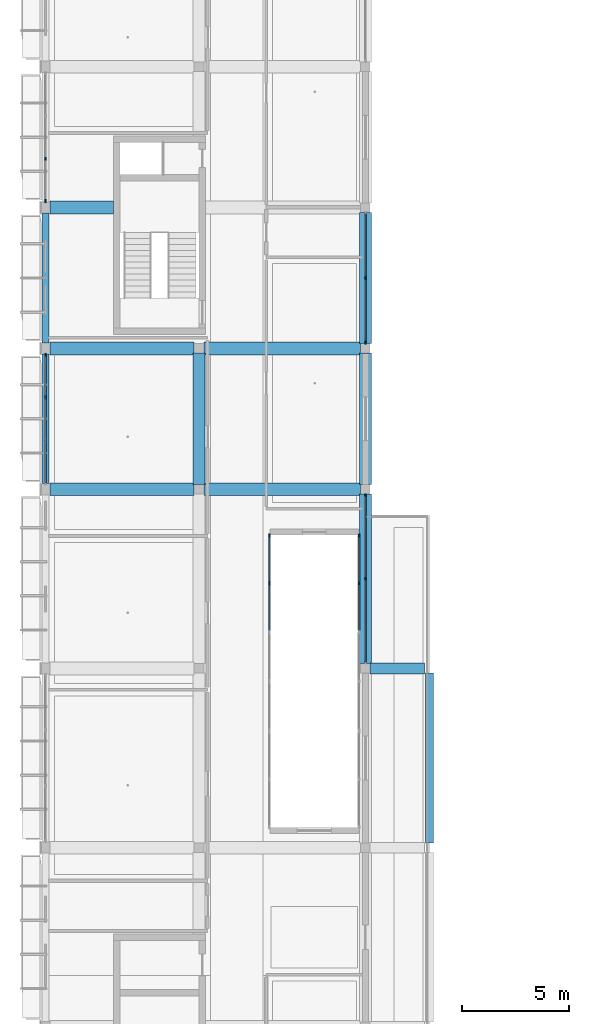
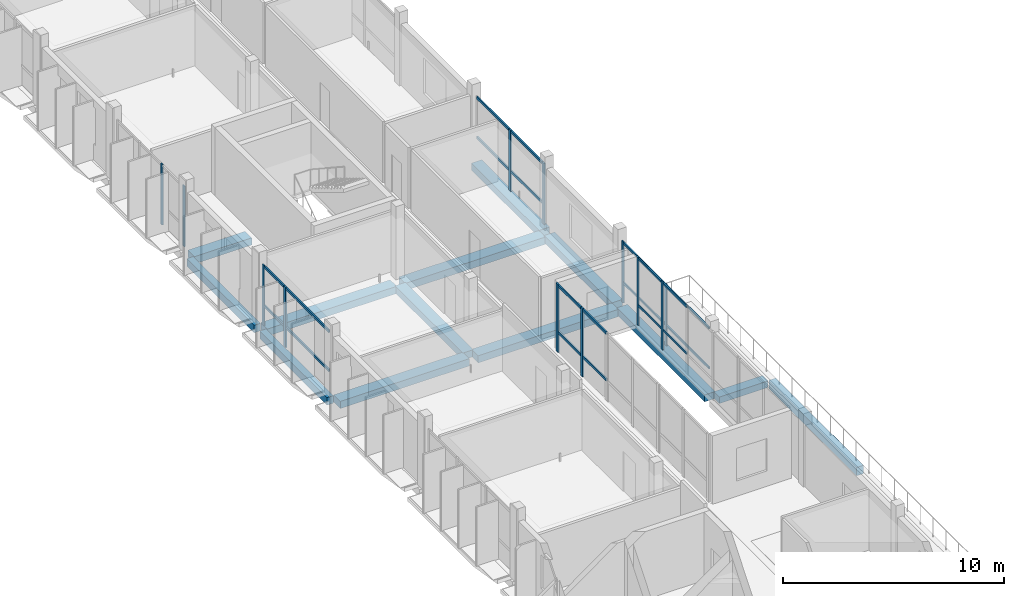
# One storey, part 6 of 48: 22 members, 13 beams, 6 elements without a shape of their own.
"""IFC4 building model written with IfcOpenShell, lengths in metres."""

from ifc_helpers import new_model, si_unit, derived_unit, direction, frame, origin, origin_2d, place, context, subcontext, project, spatial, rectangle, extrude, material, material_profile, profile_set, type_object, element, aggregate, save


model = new_model("IFC4")

# Units and contexts
model_context = context("Model", 3, precision=1e-05, world=origin(), true_north=direction((0.0, 1.0)))
body_context = subcontext(model_context, "Body", "Model", "MODEL_VIEW")
ifc_project = project(units=[si_unit("LENGTHUNIT", "METRE"), si_unit("AREAUNIT", "SQUARE_METRE"), si_unit("VOLUMEUNIT", "CUBIC_METRE"), si_unit("PLANEANGLEUNIT", "RADIAN"), si_unit("MASSUNIT", "GRAM", prefix="KILO"), derived_unit("THERMALTRANSMITTANCEUNIT", [(si_unit("POWERUNIT", "WATT"), 1), (si_unit("LENGTHUNIT", "METRE"), -2), (si_unit("THERMODYNAMICTEMPERATUREUNIT", "KELVIN"), -1)])], contexts=[model_context])

# Site, building, storey
site_placement = place(None, origin())
site = spatial("IfcSite", under=ifc_project, at=site_placement, CompositionType="ELEMENT")
building_placement = place(site_placement, origin())
building = spatial("IfcBuilding", under=site, at=building_placement, Name="Braskholm Square Health Centre", CompositionType="ELEMENT")
storey_placement = place(building_placement, frame((0.0, 0.0, 17.550048828125)))
storey = spatial("IfcBuildingStorey", under=building, at=storey_placement, Name="L05", CompositionType="ELEMENT", Elevation=17.550048828125)

# Curtain wall, members
ifc_material_1 = material(Name="Low-E triple insulating glass (VLT 0.64)", Category="glass")
curtain_wall_type_1 = type_object("IfcCurtainWallType", Name="UnitisedCurtainWall6200x3650", PredefinedType="NOTDEFINED", material=ifc_material_1)
curtain_wall_1_placement = place(storey_placement, origin())
curtain_wall_1 = element("IfcCurtainWall", 1, at=curtain_wall_1_placement, inside=storey, type_object=curtain_wall_type_1, Name="West Outer unitised curtain wall CW-L05-0036", PredefinedType="NOTDEFINED")
ifc_material_2 = material(Name="Architectural bronze anodised aluminium", Category="aluminium")
ifc_material_profile_1 = material_profile(ifc_material_2, rectangle(XDim=0.06494140625, YDim=0.14990234375, at=origin_2d()), Name="ALU-65X150")
ifc_profile_set_1 = profile_set([ifc_material_profile_1], Name="Architectural bronze anodised aluminium")
member_type_1 = type_object("IfcMemberType", Name="CurtainWallMullion65x150", PredefinedType="MULLION", material=ifc_profile_set_1)
member_1_placement = place(storey_placement, frame((4.199951171875, 96.090087890625, 0.0), z_axis=(0.0, 0.0, 1.0), x_axis=(1.0, 0.0, 0.0)))
member_1 = element("IfcMember", 2, at=member_1_placement, type_object=member_type_1, Name="CW-L05-0036 vertical mullion 3", PredefinedType="MULLION", context=body_context, shape_type="SweptSolid", body=[
    extrude(rectangle(XDim=0.06494140625, YDim=0.14990234375, at=origin_2d()), origin(), (0.0, 0.0, 1.0), 3.349853515625),
])
member_2_placement = place(storey_placement, frame((4.199951171875, 94.1064453125, 0.0), z_axis=(0.0, 0.0, 1.0), x_axis=(1.0, 0.0, 0.0)))
member_2 = element("IfcMember", 3, at=member_2_placement, type_object=member_type_1, Name="CW-L05-0036 vertical mullion 4", PredefinedType="MULLION", context=body_context, shape_type="SweptSolid", body=[
    extrude(rectangle(XDim=0.06494140625, YDim=0.14990234375, at=origin_2d()), origin(), (0.0, 0.0, 1.0), 3.349853515625),
])
aggregate(curtain_wall_1, [member_1, member_2])

curtain_wall_2_placement = place(storey_placement, origin())
curtain_wall_2 = element("IfcCurtainWall", 4, at=curtain_wall_2_placement, inside=storey, type_object=curtain_wall_type_1, Name="West Valley unitised curtain wall CW-L05-0106", PredefinedType="NOTDEFINED")
member_3_placement = place(storey_placement, frame((19.199951171875, 76.39990234375, 0.0), z_axis=(0.0, 0.0, 1.0), x_axis=(1.0, 0.0, 0.0)))
member_3 = element("IfcMember", 5, at=member_3_placement, type_object=member_type_1, Name="CW-L05-0106 vertical mullion 2", PredefinedType="MULLION", context=body_context, shape_type="SweptSolid", body=[
    extrude(rectangle(XDim=0.06494140625, YDim=0.14990234375, at=origin_2d()), origin(), (0.0, 0.0, 1.0), 3.389892578125),
])
member_4_placement = place(storey_placement, frame((19.199951171875, 80.3125, 0.0), z_axis=(0.0, 0.0, 1.0), x_axis=(1.0, 0.0, 0.0)))
member_4 = element("IfcMember", 6, at=member_4_placement, type_object=member_type_1, Name="CW-L05-0106 vertical mullion 3", PredefinedType="MULLION", context=body_context, shape_type="SweptSolid", body=[
    extrude(rectangle(XDim=0.06494140625, YDim=0.14990234375, at=origin_2d()), origin(), (0.0, 0.0, 1.0), 3.389892578125),
])

curtain_wall_type_2 = type_object("IfcCurtainWallType", Name="UnitisedCurtainWall4800x3800", PredefinedType="NOTDEFINED", material=ifc_material_1)
curtain_wall_3_placement = place(storey_placement, origin())
curtain_wall_3 = element("IfcCurtainWall", 7, at=curtain_wall_3_placement, inside=storey, type_object=curtain_wall_type_2, Name="WC2 Court E unitised curtain wall CW-L05-0314", PredefinedType="NOTDEFINED")
member_5_placement = place(storey_placement, frame((18.89990234375, 78.432861328125, 0.0), z_axis=(0.0, 0.0, 1.0), x_axis=(1.0, 0.0, 0.0)))
member_5 = element("IfcMember", 8, at=member_5_placement, type_object=member_type_1, Name="CW-L05-0314 vertical mullion 1", PredefinedType="MULLION", context=body_context, shape_type="SweptSolid", body=[
    extrude(rectangle(XDim=0.06494140625, YDim=0.14990234375, at=origin_2d()), origin(), (0.0, 0.0, 1.0), 3.77001953125),
])
member_6_placement = place(storey_placement, frame((18.89990234375, 76.198974609375, 0.0), z_axis=(0.0, 0.0, 1.0), x_axis=(1.0, 0.0, 0.0)))
member_6 = element("IfcMember", 9, at=member_6_placement, type_object=member_type_1, Name="CW-L05-0314 vertical mullion 2", PredefinedType="MULLION", context=body_context, shape_type="SweptSolid", body=[
    extrude(rectangle(XDim=0.06494140625, YDim=0.14990234375, at=origin_2d()), origin(), (0.0, 0.0, 1.0), 3.77001953125),
])

curtain_wall_4_placement = place(storey_placement, origin())
curtain_wall_4 = element("IfcCurtainWall", 10, at=curtain_wall_4_placement, inside=storey, type_object=curtain_wall_type_1, Name="West Outer unitised curtain wall CW-L05-0035", PredefinedType="NOTDEFINED")
ifc_material_profile_2 = material_profile(ifc_material_2, rectangle(XDim=0.074951171875, YDim=0.179931640625, at=origin_2d()), Name="ALU-75X180")
ifc_profile_set_2 = profile_set([ifc_material_profile_2], Name="Architectural bronze anodised aluminium")
member_type_2 = type_object("IfcMemberType", Name="CurtainWallMullion75x180", PredefinedType="MULLION", material=ifc_profile_set_2)
member_7_placement = place(storey_placement, frame((4.199951171875, 86.8935546875, 0.0), z_axis=(0.0, 0.0, 1.0), x_axis=(1.0, 0.0, 0.0)))
member_7 = element("IfcMember", 11, at=member_7_placement, type_object=member_type_2, Name="CW-L05-0035 vertical mullion 1", PredefinedType="MULLION", context=body_context, shape_type="SweptSolid", body=[
    extrude(rectangle(XDim=0.074951171875, YDim=0.179931640625, at=origin_2d()), origin(), (0.0, 0.0, 1.0), 3.349853515625),
])
member_8_placement = place(storey_placement, frame((4.199951171875, 84.909912109375, 0.0), z_axis=(0.0, 0.0, 1.0), x_axis=(1.0, 0.0, 0.0)))
member_8 = element("IfcMember", 12, at=member_8_placement, type_object=member_type_2, Name="CW-L05-0035 vertical mullion 2", PredefinedType="MULLION", context=body_context, shape_type="SweptSolid", body=[
    extrude(rectangle(XDim=0.074951171875, YDim=0.179931640625, at=origin_2d()), origin(), (0.0, 0.0, 1.0), 3.349853515625),
])

curtain_wall_5_placement = place(storey_placement, origin())
curtain_wall_5 = element("IfcCurtainWall", 13, at=curtain_wall_5_placement, inside=storey, type_object=curtain_wall_type_1, Name="West Valley unitised curtain wall CW-L05-0107", PredefinedType="NOTDEFINED")
member_9_placement = place(storey_placement, frame((19.199951171875, 87.476806640625, 0.0), z_axis=(0.0, 0.0, 1.0), x_axis=(1.0, 0.0, 0.0)))
member_9 = element("IfcMember", 14, at=member_9_placement, type_object=member_type_2, Name="CW-L05-0107 vertical mullion 1", PredefinedType="MULLION", context=body_context, shape_type="SweptSolid", body=[
    extrude(rectangle(XDim=0.074951171875, YDim=0.179931640625, at=origin_2d()), origin(), (0.0, 0.0, 1.0), 3.389892578125),
])
member_10_placement = place(storey_placement, frame((19.199951171875, 90.5, 0.0), z_axis=(0.0, 0.0, 1.0), x_axis=(1.0, 0.0, 0.0)))
member_10 = element("IfcMember", 15, at=member_10_placement, type_object=member_type_2, Name="CW-L05-0107 vertical mullion 2", PredefinedType="MULLION", context=body_context, shape_type="SweptSolid", body=[
    extrude(rectangle(XDim=0.074951171875, YDim=0.179931640625, at=origin_2d()), origin(), (0.0, 0.0, 1.0), 3.389892578125),
])

curtain_wall_6_placement = place(storey_placement, origin())
curtain_wall_6 = element("IfcCurtainWall", 16, at=curtain_wall_6_placement, inside=storey, type_object=curtain_wall_type_2, Name="WC2 Court W unitised curtain wall CW-L05-0313", PredefinedType="NOTDEFINED")
member_11_placement = place(storey_placement, frame((14.699951171875, 76.198974609375, 0.0), z_axis=(0.0, 0.0, 1.0), x_axis=(1.0, 0.0, 0.0)))
member_11 = element("IfcMember", 17, at=member_11_placement, type_object=member_type_2, Name="CW-L05-0313 vertical mullion 2", PredefinedType="MULLION", context=body_context, shape_type="SweptSolid", body=[
    extrude(rectangle(XDim=0.074951171875, YDim=0.179931640625, at=origin_2d()), origin(), (0.0, 0.0, 1.0), 3.77001953125),
])
member_12_placement = place(storey_placement, frame((14.699951171875, 78.432861328125, 0.0), z_axis=(0.0, 0.0, 1.0), x_axis=(1.0, 0.0, 0.0)))
member_12 = element("IfcMember", 18, at=member_12_placement, type_object=member_type_2, Name="CW-L05-0313 vertical mullion 3", PredefinedType="MULLION", context=body_context, shape_type="SweptSolid", body=[
    extrude(rectangle(XDim=0.074951171875, YDim=0.179931640625, at=origin_2d()), origin(), (0.0, 0.0, 1.0), 3.77001953125),
])

# Member
ifc_material_profile_3 = material_profile(ifc_material_2, rectangle(XDim=0.06494140625, YDim=0.1201171875, at=origin_2d()), Name="ALU-65X120")
ifc_profile_set_3 = profile_set([ifc_material_profile_3], Name="Architectural bronze anodised aluminium")
member_type_3 = type_object("IfcMemberType", Name="CurtainWallTransom65x120", PredefinedType="USERDEFINED", material=ifc_profile_set_3)
member_13_placement = place(storey_placement, frame((19.199951171875, 72.485107421875, 1.119873046875), z_axis=(0.0, 1.0, 0.0), x_axis=(-1.0, 0.0, 0.0)))
member_13 = element("IfcMember", 19, at=member_13_placement, type_object=member_type_3, Name="CW-L05-0106 horizontal transom 1", ObjectType="TRANSOM", PredefinedType="USERDEFINED", context=body_context, shape_type="SweptSolid", body=[
    extrude(rectangle(XDim=0.06494140625, YDim=0.1201171875, at=origin_2d()), origin(), (0.0, 0.0, 1.0), 7.829833984375),
])

member_14_placement = place(storey_placement, frame((19.199951171875, 72.485107421875, 3.320068359375), z_axis=(0.0, 1.0, 0.0), x_axis=(-1.0, 0.0, 0.0)))
member_14 = element("IfcMember", 20, at=member_14_placement, type_object=member_type_3, Name="CW-L05-0106 horizontal transom 2", ObjectType="TRANSOM", PredefinedType="USERDEFINED", context=body_context, shape_type="SweptSolid", body=[
    extrude(rectangle(XDim=0.06494140625, YDim=0.1201171875, at=origin_2d()), origin(), (0.0, 0.0, 1.0), 7.829833984375),
])

aggregate(curtain_wall_2, [member_3, member_4, member_13, member_14])

member_15_placement = place(storey_placement, frame((18.89990234375, 78.4150390625, 1.119873046875), z_axis=(0.0, -1.0, 0.0), x_axis=(1.0, 0.0, 0.0)))
member_15 = element("IfcMember", 21, at=member_15_placement, type_object=member_type_3, Name="CW-L05-0314 horizontal transom 1", ObjectType="TRANSOM", PredefinedType="USERDEFINED", context=body_context, shape_type="SweptSolid", body=[
    extrude(rectangle(XDim=0.06494140625, YDim=0.1201171875, at=origin_2d()), origin(), (0.0, 0.0, 1.0), 4.43212890625),
])

member_16_placement = place(storey_placement, frame((18.89990234375, 78.4150390625, 3.699951171875), z_axis=(0.0, -1.0, 0.0), x_axis=(1.0, 0.0, 0.0)))
member_16 = element("IfcMember", 22, at=member_16_placement, type_object=member_type_3, Name="CW-L05-0314 horizontal transom 2", ObjectType="TRANSOM", PredefinedType="USERDEFINED", context=body_context, shape_type="SweptSolid", body=[
    extrude(rectangle(XDim=0.06494140625, YDim=0.1201171875, at=origin_2d()), origin(), (0.0, 0.0, 1.0), 4.43212890625),
])

aggregate(curtain_wall_3, [member_5, member_6, member_15, member_16])

ifc_material_profile_4 = material_profile(ifc_material_2, rectangle(XDim=0.074951171875, YDim=0.139892578125, at=origin_2d()), Name="ALU-75X140")
ifc_profile_set_4 = profile_set([ifc_material_profile_4], Name="Architectural bronze anodised aluminium")
member_type_4 = type_object("IfcMemberType", Name="CurtainWallTransom75x140", PredefinedType="USERDEFINED", material=ifc_profile_set_4)
member_17_placement = place(storey_placement, frame((4.199951171875, 86.885009765625, 1.119873046875), z_axis=(0.0, -1.0, 0.0), x_axis=(1.0, 0.0, 0.0)))
member_17 = element("IfcMember", 23, at=member_17_placement, type_object=member_type_4, Name="CW-L05-0035 horizontal transom 1", ObjectType="TRANSOM", PredefinedType="USERDEFINED", context=body_context, shape_type="SweptSolid", body=[
    extrude(rectangle(XDim=0.074951171875, YDim=0.139892578125, at=origin_2d()), origin(), (0.0, 0.0, 1.0), 5.969970703125),
])

member_18_placement = place(storey_placement, frame((4.199951171875, 86.885009765625, 3.280029296875), z_axis=(0.0, -1.0, 0.0), x_axis=(1.0, 0.0, 0.0)))
member_18 = element("IfcMember", 24, at=member_18_placement, type_object=member_type_4, Name="CW-L05-0035 horizontal transom 2", ObjectType="TRANSOM", PredefinedType="USERDEFINED", context=body_context, shape_type="SweptSolid", body=[
    extrude(rectangle(XDim=0.074951171875, YDim=0.139892578125, at=origin_2d()), origin(), (0.0, 0.0, 1.0), 5.969970703125),
])

aggregate(curtain_wall_4, [member_7, member_8, member_17, member_18])

member_19_placement = place(storey_placement, frame((19.199951171875, 87.485107421875, 1.119873046875), z_axis=(0.0, 1.0, 0.0), x_axis=(-1.0, 0.0, 0.0)))
member_19 = element("IfcMember", 25, at=member_19_placement, type_object=member_type_4, Name="CW-L05-0107 horizontal transom 1", ObjectType="TRANSOM", PredefinedType="USERDEFINED", context=body_context, shape_type="SweptSolid", body=[
    extrude(rectangle(XDim=0.074951171875, YDim=0.139892578125, at=origin_2d()), origin(), (0.0, 0.0, 1.0), 6.02978515625),
])

member_20_placement = place(storey_placement, frame((19.199951171875, 87.485107421875, 3.320068359375), z_axis=(0.0, 1.0, 0.0), x_axis=(-1.0, 0.0, 0.0)))
member_20 = element("IfcMember", 26, at=member_20_placement, type_object=member_type_4, Name="CW-L05-0107 horizontal transom 2", ObjectType="TRANSOM", PredefinedType="USERDEFINED", context=body_context, shape_type="SweptSolid", body=[
    extrude(rectangle(XDim=0.074951171875, YDim=0.139892578125, at=origin_2d()), origin(), (0.0, 0.0, 1.0), 6.02978515625),
])

aggregate(curtain_wall_5, [member_9, member_10, member_19, member_20])

member_21_placement = place(storey_placement, frame((14.699951171875, 73.98291015625, 1.119873046875), z_axis=(0.0, 1.0, 0.0), x_axis=(-1.0, 0.0, 0.0)))
member_21 = element("IfcMember", 27, at=member_21_placement, type_object=member_type_4, Name="CW-L05-0313 horizontal transom 1", ObjectType="TRANSOM", PredefinedType="USERDEFINED", context=body_context, shape_type="SweptSolid", body=[
    extrude(rectangle(XDim=0.074951171875, YDim=0.139892578125, at=origin_2d()), origin(), (0.0, 0.0, 1.0), 4.43212890625),
])

member_22_placement = place(storey_placement, frame((14.699951171875, 73.98291015625, 3.699951171875), z_axis=(0.0, 1.0, 0.0), x_axis=(-1.0, 0.0, 0.0)))
member_22 = element("IfcMember", 28, at=member_22_placement, type_object=member_type_4, Name="CW-L05-0313 horizontal transom 2", ObjectType="TRANSOM", PredefinedType="USERDEFINED", context=body_context, shape_type="SweptSolid", body=[
    extrude(rectangle(XDim=0.074951171875, YDim=0.139892578125, at=origin_2d()), origin(), (0.0, 0.0, 1.0), 4.43212890625),
])

aggregate(curtain_wall_6, [member_11, member_12, member_21, member_22])

# Beams
ifc_material_3 = material(Name="Concrete C35/45 (f'c = 35 MPa)", Category="concrete")
ifc_material_profile_5 = material_profile(ifc_material_3, rectangle(XDim=0.5, YDim=0.360107421875, at=origin_2d()), Name="RCB-500X360")
ifc_profile_set_5 = profile_set([ifc_material_profile_5], Name="Concrete C35/45 (f'c = 35 MPa)")
beam_type_1 = type_object("IfcBeamType", Name="PrimaryBandBeam500x360", PredefinedType="BEAM", material=ifc_profile_set_5)
beam_1_placement = place(storey_placement, frame((19.425048828125, 72.199951171875, -0.429931640625), z_axis=(1.0, 0.0, 0.0), x_axis=(0.0, 1.0, 0.0)))
element("IfcBeam", 29, at=beam_1_placement, inside=storey, type_object=beam_type_1, Name="Beam 3-4/L L05", PredefinedType="BEAM", context=body_context, shape_type="SweptSolid", body=[
    extrude(rectangle(XDim=0.5, YDim=0.360107421875, at=origin_2d()), origin(), (0.0, 0.0, 1.0), 2.550048828125),
])
ifc_material_profile_6 = material_profile(ifc_material_3, rectangle(XDim=0.550048828125, YDim=0.3798828125, at=origin_2d()), Name="RCB-550X380")
ifc_profile_set_6 = profile_set([ifc_material_profile_6], Name="Concrete C35/45 (f'c = 35 MPa)")
beam_type_2 = type_object("IfcBeamType", Name="PrimaryBandBeam550x380", PredefinedType="BEAM", material=ifc_profile_set_6)
beam_2_placement = place(storey_placement, frame((11.39990234375, 80.824951171875, -0.489990234375), z_axis=(0.0, 1.0, 0.0), x_axis=(-1.0, 0.0, 0.0)))
element("IfcBeam", 30, at=beam_2_placement, inside=storey, type_object=beam_type_2, Name="Beam 2/M-N L05", PredefinedType="BEAM", context=body_context, shape_type="SweptSolid", body=[
    extrude(rectangle(XDim=0.550048828125, YDim=0.3798828125, at=origin_2d()), origin(), (0.0, 0.0, 1.0), 6.150146484375),
])
beam_3_placement = place(storey_placement, frame((19.199951171875, 72.425048828125, -0.43994140625), z_axis=(0.0, 1.0, 0.0), x_axis=(-1.0, 0.0, 0.0)))
element("IfcBeam", 31, at=beam_3_placement, inside=storey, type_object=beam_type_2, Name="Beam 3/L-M L05", PredefinedType="BEAM", context=body_context, shape_type="SweptSolid", body=[
    extrude(rectangle(XDim=0.550048828125, YDim=0.3798828125, at=origin_2d()), origin(), (0.0, 0.0, 1.0), 7.949951171875),
])
beam_4_placement = place(storey_placement, frame((19.199951171875, 80.824951171875, -0.43994140625), z_axis=(0.0, 1.0, 0.0), x_axis=(-1.0, 0.0, 0.0)))
element("IfcBeam", 32, at=beam_4_placement, inside=storey, type_object=beam_type_2, Name="Beam 3/M-N L05", PredefinedType="BEAM", context=body_context, shape_type="SweptSolid", body=[
    extrude(rectangle(XDim=0.550048828125, YDim=0.3798828125, at=origin_2d()), origin(), (0.0, 0.0, 1.0), 6.150146484375),
])
beam_5_placement = place(storey_placement, frame((19.199951171875, 87.425048828125, -0.43994140625), z_axis=(0.0, 1.0, 0.0), x_axis=(-1.0, 0.0, 0.0)))
element("IfcBeam", 33, at=beam_5_placement, inside=storey, type_object=beam_type_2, Name="Beam 3/N-P L05", PredefinedType="BEAM", context=body_context, shape_type="SweptSolid", body=[
    extrude(rectangle(XDim=0.550048828125, YDim=0.3798828125, at=origin_2d()), origin(), (0.0, 0.0, 1.0), 6.14990234375),
])
ifc_material_profile_7 = material_profile(ifc_material_3, rectangle(XDim=0.60009765625, YDim=0.39990234375, at=origin_2d()), Name="RCB-600X400")
ifc_profile_set_7 = profile_set([ifc_material_profile_7], Name="Concrete C35/45 (f'c = 35 MPa)")
beam_type_3 = type_object("IfcBeamType", Name="PrimaryBandBeam600x400", PredefinedType="BEAM", material=ifc_profile_set_7)
beam_6_placement = place(storey_placement, frame((4.409912109375, 80.60009765625, -0.5), z_axis=(1.0, 0.0, 0.0), x_axis=(0.0, 1.0, 0.0)))
element("IfcBeam", 34, at=beam_6_placement, inside=storey, type_object=beam_type_3, Name="Beam 1-2/M L05", PredefinedType="BEAM", context=body_context, shape_type="SweptSolid", body=[
    extrude(rectangle(XDim=0.60009765625, YDim=0.39990234375, at=origin_2d()), origin(), (0.0, 0.0, 1.0), 6.76513671875),
])
beam_7_placement = place(storey_placement, frame((11.625, 80.60009765625, -0.5), z_axis=(1.0, 0.0, 0.0), x_axis=(0.0, 1.0, 0.0)))
element("IfcBeam", 35, at=beam_7_placement, inside=storey, type_object=beam_type_3, Name="Beam 2-3/M L05", PredefinedType="BEAM", context=body_context, shape_type="SweptSolid", body=[
    extrude(rectangle(XDim=0.60009765625, YDim=0.39990234375, at=origin_2d()), origin(), (0.0, 0.0, 1.0), 7.35009765625),
])
beam_8_placement = place(storey_placement, frame((4.409912109375, 87.199951171875, -0.5), z_axis=(1.0, 0.0, 0.0), x_axis=(0.0, 1.0, 0.0)))
element("IfcBeam", 36, at=beam_8_placement, inside=storey, type_object=beam_type_3, Name="Beam 1-2/N L05", PredefinedType="BEAM", context=body_context, shape_type="SweptSolid", body=[
    extrude(rectangle(XDim=0.60009765625, YDim=0.39990234375, at=origin_2d()), origin(), (0.0, 0.0, 1.0), 6.76513671875),
])
beam_9_placement = place(storey_placement, frame((11.625, 87.199951171875, -0.5), z_axis=(1.0, 0.0, 0.0), x_axis=(0.0, 1.0, 0.0)))
element("IfcBeam", 37, at=beam_9_placement, inside=storey, type_object=beam_type_3, Name="Beam 2-3/N L05", PredefinedType="BEAM", context=body_context, shape_type="SweptSolid", body=[
    extrude(rectangle(XDim=0.60009765625, YDim=0.39990234375, at=origin_2d()), origin(), (0.0, 0.0, 1.0), 7.35009765625),
])
beam_10_placement = place(storey_placement, frame((4.409912109375, 93.800048828125, -0.5), z_axis=(1.0, 0.0, 0.0), x_axis=(0.0, 1.0, 0.0)))
element("IfcBeam", 38, at=beam_10_placement, inside=storey, type_object=beam_type_3, Name="Beam 1-3/P L05", PredefinedType="BEAM", context=body_context, shape_type="SweptSolid", body=[
    extrude(rectangle(XDim=0.60009765625, YDim=0.39990234375, at=origin_2d()), origin(), (0.0, 0.0, 1.0), 2.989990234375),
])
ifc_material_4 = material(Name="Precast concrete C40/50 architectural white", Category="concrete")
ifc_material_profile_8 = material_profile(ifc_material_4, rectangle(XDim=0.340087890625, YDim=0.419921875, at=origin_2d()), Name="RCB-340X420")
ifc_profile_set_8 = profile_set([ifc_material_profile_8], Name="Precast concrete C40/50 architectural white")
beam_type_4 = type_object("IfcBeamType", Name="SpandrelCrownEdge340x420", PredefinedType="SPANDREL", material=ifc_profile_set_8)
beam_11_placement = place(storey_placement, frame((4.199951171875, 80.860107421875, -0.510009765625), z_axis=(0.0, 1.0, 0.0), x_axis=(-1.0, 0.0, 0.0)))
element("IfcBeam", 39, at=beam_11_placement, inside=storey, type_object=beam_type_4, Name="Beam 1/M-N L05", PredefinedType="SPANDREL", context=body_context, shape_type="SweptSolid", body=[
    extrude(rectangle(XDim=0.340087890625, YDim=0.419921875, at=origin_2d()), origin(), (0.0, 0.0, 1.0), 6.079833984375),
])
beam_12_placement = place(storey_placement, frame((4.199951171875, 87.4599609375, -0.510009765625), z_axis=(0.0, 1.0, 0.0), x_axis=(-1.0, 0.0, 0.0)))
element("IfcBeam", 40, at=beam_12_placement, inside=storey, type_object=beam_type_4, Name="Beam 1/N-P L05", PredefinedType="SPANDREL", context=body_context, shape_type="SweptSolid", body=[
    extrude(rectangle(XDim=0.340087890625, YDim=0.419921875, at=origin_2d()), origin(), (0.0, 0.0, 1.0), 6.080078125),
])
ifc_material_profile_9 = material_profile(ifc_material_4, rectangle(XDim=0.360107421875, YDim=0.4599609375, at=origin_2d()), Name="RCB-360X460")
ifc_profile_set_9 = profile_set([ifc_material_profile_9], Name="Precast concrete C40/50 architectural white")
beam_type_5 = type_object("IfcBeamType", Name="SpandrelTerraceEdge360x460", PredefinedType="SPANDREL", material=ifc_profile_set_9)
beam_13_placement = place(storey_placement, frame((22.199951171875, 64.02490234375, -0.47998046875), z_axis=(0.0, 1.0, 0.0), x_axis=(-1.0, 0.0, 0.0)))
element("IfcBeam", 41, at=beam_13_placement, inside=storey, type_object=beam_type_5, Name="Beam 4/K-L L05", PredefinedType="SPANDREL", context=body_context, shape_type="SweptSolid", body=[
    extrude(rectangle(XDim=0.360107421875, YDim=0.4599609375, at=origin_2d()), origin(), (0.0, 0.0, 1.0), 7.9501953125),
])

save(model, "model.ifc")
